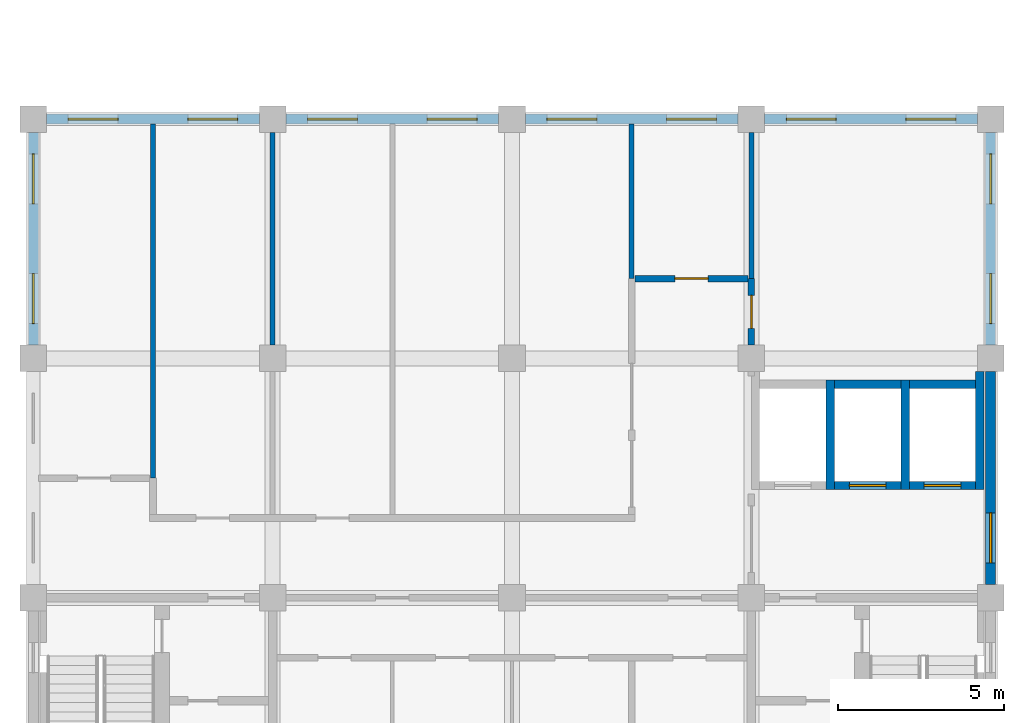
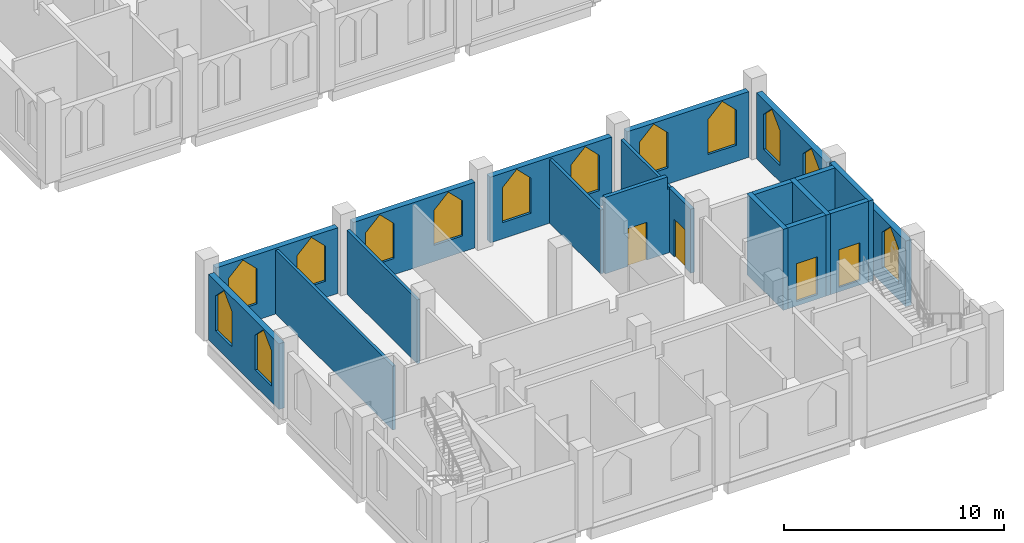
# One storey, part 4 of 11: 20 walls, 13 windows, 4 doors, 17 openings.
"""IFC4 building model written with IfcOpenShell, lengths in metres."""

from ifc_helpers import new_model, si_unit, direction, frame, frame_2d, origin, place, context, subcontext, project, spatial, polyline, rectangle, outline, extrude, material, layer, layer_set, type_object, element, fill, save


model = new_model("IFC4")

# Units and contexts
model_context = context("Model", 3, precision=1e-05, world=origin(), true_north=direction((0.0, 1.0)))
body_context = subcontext(model_context, "Body", "Model", "MODEL_VIEW")
ifc_project = project(units=[si_unit("LENGTHUNIT", "METRE"), si_unit("AREAUNIT", "SQUARE_METRE"), si_unit("VOLUMEUNIT", "CUBIC_METRE"), si_unit("PLANEANGLEUNIT", "RADIAN"), si_unit("MASSUNIT", "GRAM", prefix="KILO")], contexts=[model_context])

# Site, building, storey
site_placement = place(None, origin())
site = spatial("IfcSite", under=ifc_project, at=site_placement, CompositionType="ELEMENT")
building_placement = place(site_placement, origin())
building = spatial("IfcBuilding", under=site, at=building_placement, Name="Silangan Lancet Faculty of Sciences", CompositionType="ELEMENT")
storey_placement = place(building_placement, frame((0.0, 0.0, 45.300048828125)))
storey = spatial("IfcBuildingStorey", under=building, at=storey_placement, Name="L09", CompositionType="ELEMENT", Elevation=45.300048828125)

# Wall, openings, windows
ifc_material_1 = material(Name="Concrete C40/50 precast", Category="concrete")
ifc_layer_1 = layer(ifc_material_1, 0.300048828125)
ifc_layer_set_1 = layer_set([ifc_layer_1], Name="Concrete C40/50 precast")
wall_type_1 = type_object("IfcWallType", Name="EW1 Precast cladding wall", PredefinedType="STANDARD", material=ifc_layer_set_1)
wall_1_placement = place(storey_placement, frame((0.0, 14.800048828125, 0.0), z_axis=(0.0, 0.0, 1.0), x_axis=(0.0, 1.0, 0.0)))
wall_1 = element("IfcWall", 1, at=wall_1_placement, inside=storey, type_object=wall_type_1, Name="EW-L09-W-ST-02", PredefinedType="STANDARD", context=body_context, shape_type="SweptSolid", body=[
    extrude(rectangle(XDim=6.39990234375, YDim=0.300048828125, at=frame_2d((3.199951171875, 0.0))), origin(), (0.0, 0.0, 1.0), 3.64990234375),
])
opening_1_placement = place(wall_1_placement, frame((0.64990234375, 0.0, 0.89990234375)))
opening_1 = element("IfcOpeningElement", 2, at=opening_1_placement, cuts=wall_1, Name="Opening W23", PredefinedType="OPENING", context=body_context, shape_type="SweptSolid", body=[
    extrude(outline(polyline([(0.0, 0.0), (1.5, 0.0), (1.5, 1.949951171875), (0.75, 2.699951171875), (0.0, 1.949951171875), (0.0, 0.0)])), frame((0.0, 0.159912109375, 0.0), z_axis=(0.0, -1.0, 0.0), x_axis=(1.0, 0.0, 0.0)), (0.0, 0.0, 1.0), 0.320068359375),
])
opening_2_placement = place(wall_1_placement, frame((4.25, 0.0, 0.89990234375)))
opening_2 = element("IfcOpeningElement", 3, at=opening_2_placement, cuts=wall_1, Name="Opening W23", PredefinedType="OPENING", context=body_context, shape_type="SweptSolid", body=[
    extrude(outline(polyline([(0.0, 0.0), (1.5, 0.0), (1.5, 1.949951171875), (0.75, 2.699951171875), (0.0, 1.949951171875), (0.0, 0.0)])), frame((0.0, 0.159912109375, 0.0), z_axis=(0.0, -1.0, 0.0), x_axis=(1.0, 0.0, 0.0)), (0.0, 0.0, 1.0), 0.320068359375),
])
ifc_material_2 = material(Name="Aluminium frame, laminated double glazing", Category="aluminium")
window_type = type_object("IfcWindowType", Name="W23 Lancet window 1500 x 2700", PartitioningType="SINGLE_PANEL", PredefinedType="WINDOW", material=ifc_material_2)
window_1_placement = place(opening_1_placement, origin())
window_1 = element("IfcWindow", 4, at=window_1_placement, inside=storey, type_object=window_type, Name="WIN-L09-W-ST-02a", OverallHeight=2.699951171875, OverallWidth=1.5, PartitioningType="SINGLE_PANEL", PredefinedType="WINDOW", context=body_context, shape_type="SweptSolid", body=[
    extrude(outline(polyline([(0.0, 0.0), (1.5, 0.0), (1.5, 1.949951171875), (0.75, 2.699951171875), (0.0, 1.949951171875), (0.0, 0.0)])), frame((0.0, 0.030029296875, 0.0), z_axis=(0.0, -1.0, 0.0), x_axis=(1.0, 0.0, 0.0)), (0.0, 0.0, 1.0), 0.06005859375),
])
fill(opening_1, window_1)
window_2_placement = place(opening_2_placement, origin())
window_2 = element("IfcWindow", 5, at=window_2_placement, inside=storey, type_object=window_type, Name="WIN-L09-W-ST-02b", OverallHeight=2.699951171875, OverallWidth=1.5, PartitioningType="SINGLE_PANEL", PredefinedType="WINDOW", context=body_context, shape_type="SweptSolid", body=[
    extrude(outline(polyline([(0.0, 0.0), (1.5, 0.0), (1.5, 1.949951171875), (0.75, 2.699951171875), (0.0, 1.949951171875), (0.0, 0.0)])), frame((0.0, 0.030029296875, 0.0), z_axis=(0.0, -1.0, 0.0), x_axis=(1.0, 0.0, 0.0)), (0.0, 0.0, 1.0), 0.06005859375),
])
fill(opening_2, window_2)

# Wall, opening, window
wall_2_placement = place(storey_placement, frame((28.800048828125, 7.60009765625, 0.0), z_axis=(0.0, 0.0, 1.0), x_axis=(0.0, 1.0, 0.0)))
wall_2 = element("IfcWall", 6, at=wall_2_placement, inside=storey, type_object=wall_type_1, Name="EW-L09-E-ST-01", PredefinedType="STANDARD", context=body_context, shape_type="SweptSolid", body=[
    extrude(rectangle(XDim=6.39990234375, YDim=0.300048828125, at=frame_2d((3.199951171875, 0.0))), origin(), (0.0, 0.0, 1.0), 3.64990234375),
])
opening_3_placement = place(wall_2_placement, frame((0.64990234375, 0.0, 0.89990234375)))
opening_3 = element("IfcOpeningElement", 7, at=opening_3_placement, cuts=wall_2, Name="Opening W23", PredefinedType="OPENING", context=body_context, shape_type="SweptSolid", body=[
    extrude(outline(polyline([(0.0, 0.0), (1.5, 0.0), (1.5, 1.949951171875), (0.75, 2.699951171875), (0.0, 1.949951171875), (0.0, 0.0)])), frame((0.0, 0.159912109375, 0.0), z_axis=(0.0, -1.0, 0.0), x_axis=(1.0, 0.0, 0.0)), (0.0, 0.0, 1.0), 0.320068359375),
])
window_3_placement = place(opening_3_placement, origin())
window_3 = element("IfcWindow", 8, at=window_3_placement, inside=storey, type_object=window_type, Name="WIN-L09-E-ST-01a", OverallHeight=2.699951171875, OverallWidth=1.5, PartitioningType="SINGLE_PANEL", PredefinedType="WINDOW", context=body_context, shape_type="SweptSolid", body=[
    extrude(outline(polyline([(0.0, 0.0), (1.5, 0.0), (1.5, 1.949951171875), (0.75, 2.699951171875), (0.0, 1.949951171875), (0.0, 0.0)])), frame((0.0, 0.030029296875, 0.0), z_axis=(0.0, -1.0, 0.0), x_axis=(1.0, 0.0, 0.0)), (0.0, 0.0, 1.0), 0.06005859375),
])
fill(opening_3, window_3)

# Wall, openings, windows
wall_3_placement = place(storey_placement, frame((28.800048828125, 14.800048828125, 0.0), z_axis=(0.0, 0.0, 1.0), x_axis=(0.0, 1.0, 0.0)))
wall_3 = element("IfcWall", 9, at=wall_3_placement, inside=storey, type_object=wall_type_1, Name="EW-L09-E-ST-02", PredefinedType="STANDARD", context=body_context, shape_type="SweptSolid", body=[
    extrude(rectangle(XDim=6.39990234375, YDim=0.300048828125, at=frame_2d((3.199951171875, 0.0))), origin(), (0.0, 0.0, 1.0), 3.64990234375),
])
opening_4_placement = place(wall_3_placement, frame((0.64990234375, 0.0, 0.89990234375)))
opening_4 = element("IfcOpeningElement", 10, at=opening_4_placement, cuts=wall_3, Name="Opening W23", PredefinedType="OPENING", context=body_context, shape_type="SweptSolid", body=[
    extrude(outline(polyline([(0.0, 0.0), (1.5, 0.0), (1.5, 1.949951171875), (0.75, 2.699951171875), (0.0, 1.949951171875), (0.0, 0.0)])), frame((0.0, 0.159912109375, 0.0), z_axis=(0.0, -1.0, 0.0), x_axis=(1.0, 0.0, 0.0)), (0.0, 0.0, 1.0), 0.320068359375),
])
opening_5_placement = place(wall_3_placement, frame((4.25, 0.0, 0.89990234375)))
opening_5 = element("IfcOpeningElement", 11, at=opening_5_placement, cuts=wall_3, Name="Opening W23", PredefinedType="OPENING", context=body_context, shape_type="SweptSolid", body=[
    extrude(outline(polyline([(0.0, 0.0), (1.5, 0.0), (1.5, 1.949951171875), (0.75, 2.699951171875), (0.0, 1.949951171875), (0.0, 0.0)])), frame((0.0, 0.159912109375, 0.0), z_axis=(0.0, -1.0, 0.0), x_axis=(1.0, 0.0, 0.0)), (0.0, 0.0, 1.0), 0.320068359375),
])
window_4_placement = place(opening_4_placement, origin())
window_4 = element("IfcWindow", 12, at=window_4_placement, inside=storey, type_object=window_type, Name="WIN-L09-E-ST-02a", OverallHeight=2.699951171875, OverallWidth=1.5, PartitioningType="SINGLE_PANEL", PredefinedType="WINDOW", context=body_context, shape_type="SweptSolid", body=[
    extrude(outline(polyline([(0.0, 0.0), (1.5, 0.0), (1.5, 1.949951171875), (0.75, 2.699951171875), (0.0, 1.949951171875), (0.0, 0.0)])), frame((0.0, 0.030029296875, 0.0), z_axis=(0.0, -1.0, 0.0), x_axis=(1.0, 0.0, 0.0)), (0.0, 0.0, 1.0), 0.06005859375),
])
fill(opening_4, window_4)
window_5_placement = place(opening_5_placement, origin())
window_5 = element("IfcWindow", 13, at=window_5_placement, inside=storey, type_object=window_type, Name="WIN-L09-E-ST-02b", OverallHeight=2.699951171875, OverallWidth=1.5, PartitioningType="SINGLE_PANEL", PredefinedType="WINDOW", context=body_context, shape_type="SweptSolid", body=[
    extrude(outline(polyline([(0.0, 0.0), (1.5, 0.0), (1.5, 1.949951171875), (0.75, 2.699951171875), (0.0, 1.949951171875), (0.0, 0.0)])), frame((0.0, 0.030029296875, 0.0), z_axis=(0.0, -1.0, 0.0), x_axis=(1.0, 0.0, 0.0)), (0.0, 0.0, 1.0), 0.06005859375),
])
fill(opening_5, window_5)

wall_4_placement = place(storey_placement, frame((28.39990234375, 21.60009765625, 0.0), z_axis=(0.0, 0.0, 1.0), x_axis=(-1.0, 0.0, 0.0)))
wall_4 = element("IfcWall", 14, at=wall_4_placement, inside=storey, type_object=wall_type_1, Name="EW-L09-N-ST-00", PredefinedType="STANDARD", context=body_context, shape_type="SweptSolid", body=[
    extrude(rectangle(XDim=6.39990234375, YDim=0.300048828125, at=frame_2d((3.199951171875, 0.0))), origin(), (0.0, 0.0, 1.0), 3.64990234375),
])
opening_6_placement = place(wall_4_placement, frame((0.64990234375, 0.0, 0.89990234375)))
opening_6 = element("IfcOpeningElement", 15, at=opening_6_placement, cuts=wall_4, Name="Opening W23", PredefinedType="OPENING", context=body_context, shape_type="SweptSolid", body=[
    extrude(outline(polyline([(0.0, 0.0), (1.5, 0.0), (1.5, 1.949951171875), (0.75, 2.699951171875), (0.0, 1.949951171875), (0.0, 0.0)])), frame((0.0, 0.159912109375, 0.0), z_axis=(0.0, -1.0, 0.0), x_axis=(1.0, 0.0, 0.0)), (0.0, 0.0, 1.0), 0.320068359375),
])
opening_7_placement = place(wall_4_placement, frame((4.25, 0.0, 0.89990234375)))
opening_7 = element("IfcOpeningElement", 16, at=opening_7_placement, cuts=wall_4, Name="Opening W23", PredefinedType="OPENING", context=body_context, shape_type="SweptSolid", body=[
    extrude(outline(polyline([(0.0, 0.0), (1.5, 0.0), (1.5, 1.949951171875), (0.75, 2.699951171875), (0.0, 1.949951171875), (0.0, 0.0)])), frame((0.0, 0.159912109375, 0.0), z_axis=(0.0, -1.0, 0.0), x_axis=(1.0, 0.0, 0.0)), (0.0, 0.0, 1.0), 0.320068359375),
])
window_6_placement = place(opening_6_placement, origin())
window_6 = element("IfcWindow", 17, at=window_6_placement, inside=storey, type_object=window_type, Name="WIN-L09-N-ST-00a", OverallHeight=2.699951171875, OverallWidth=1.5, PartitioningType="SINGLE_PANEL", PredefinedType="WINDOW", context=body_context, shape_type="SweptSolid", body=[
    extrude(outline(polyline([(0.0, 0.0), (1.5, 0.0), (1.5, 1.949951171875), (0.75, 2.699951171875), (0.0, 1.949951171875), (0.0, 0.0)])), frame((0.0, 0.030029296875, 0.0), z_axis=(0.0, -1.0, 0.0), x_axis=(1.0, 0.0, 0.0)), (0.0, 0.0, 1.0), 0.06005859375),
])
fill(opening_6, window_6)
window_7_placement = place(opening_7_placement, origin())
window_7 = element("IfcWindow", 18, at=window_7_placement, inside=storey, type_object=window_type, Name="WIN-L09-N-ST-00b", OverallHeight=2.699951171875, OverallWidth=1.5, PartitioningType="SINGLE_PANEL", PredefinedType="WINDOW", context=body_context, shape_type="SweptSolid", body=[
    extrude(outline(polyline([(0.0, 0.0), (1.5, 0.0), (1.5, 1.949951171875), (0.75, 2.699951171875), (0.0, 1.949951171875), (0.0, 0.0)])), frame((0.0, 0.030029296875, 0.0), z_axis=(0.0, -1.0, 0.0), x_axis=(1.0, 0.0, 0.0)), (0.0, 0.0, 1.0), 0.06005859375),
])
fill(opening_7, window_7)

wall_5_placement = place(storey_placement, frame((21.199951171875, 21.60009765625, 0.0), z_axis=(0.0, 0.0, 1.0), x_axis=(-1.0, 0.0, 0.0)))
wall_5 = element("IfcWall", 19, at=wall_5_placement, inside=storey, type_object=wall_type_1, Name="EW-L09-N-ST-01", PredefinedType="STANDARD", context=body_context, shape_type="SweptSolid", body=[
    extrude(rectangle(XDim=6.39990234375, YDim=0.300048828125, at=frame_2d((3.199951171875, 0.0))), origin(), (0.0, 0.0, 1.0), 3.64990234375),
])
opening_8_placement = place(wall_5_placement, frame((0.64990234375, 0.0, 0.89990234375)))
opening_8 = element("IfcOpeningElement", 20, at=opening_8_placement, cuts=wall_5, Name="Opening W23", PredefinedType="OPENING", context=body_context, shape_type="SweptSolid", body=[
    extrude(outline(polyline([(0.0, 0.0), (1.5, 0.0), (1.5, 1.949951171875), (0.75, 2.699951171875), (0.0, 1.949951171875), (0.0, 0.0)])), frame((0.0, 0.159912109375, 0.0), z_axis=(0.0, -1.0, 0.0), x_axis=(1.0, 0.0, 0.0)), (0.0, 0.0, 1.0), 0.320068359375),
])
opening_9_placement = place(wall_5_placement, frame((4.25, 0.0, 0.89990234375)))
opening_9 = element("IfcOpeningElement", 21, at=opening_9_placement, cuts=wall_5, Name="Opening W23", PredefinedType="OPENING", context=body_context, shape_type="SweptSolid", body=[
    extrude(outline(polyline([(0.0, 0.0), (1.5, 0.0), (1.5, 1.949951171875), (0.75, 2.699951171875), (0.0, 1.949951171875), (0.0, 0.0)])), frame((0.0, 0.159912109375, 0.0), z_axis=(0.0, -1.0, 0.0), x_axis=(1.0, 0.0, 0.0)), (0.0, 0.0, 1.0), 0.320068359375),
])
window_8_placement = place(opening_8_placement, origin())
window_8 = element("IfcWindow", 22, at=window_8_placement, inside=storey, type_object=window_type, Name="WIN-L09-N-ST-01a", OverallHeight=2.699951171875, OverallWidth=1.5, PartitioningType="SINGLE_PANEL", PredefinedType="WINDOW", context=body_context, shape_type="SweptSolid", body=[
    extrude(outline(polyline([(0.0, 0.0), (1.5, 0.0), (1.5, 1.949951171875), (0.75, 2.699951171875), (0.0, 1.949951171875), (0.0, 0.0)])), frame((0.0, 0.030029296875, 0.0), z_axis=(0.0, -1.0, 0.0), x_axis=(1.0, 0.0, 0.0)), (0.0, 0.0, 1.0), 0.06005859375),
])
fill(opening_8, window_8)
window_9_placement = place(opening_9_placement, origin())
window_9 = element("IfcWindow", 23, at=window_9_placement, inside=storey, type_object=window_type, Name="WIN-L09-N-ST-01b", OverallHeight=2.699951171875, OverallWidth=1.5, PartitioningType="SINGLE_PANEL", PredefinedType="WINDOW", context=body_context, shape_type="SweptSolid", body=[
    extrude(outline(polyline([(0.0, 0.0), (1.5, 0.0), (1.5, 1.949951171875), (0.75, 2.699951171875), (0.0, 1.949951171875), (0.0, 0.0)])), frame((0.0, 0.030029296875, 0.0), z_axis=(0.0, -1.0, 0.0), x_axis=(1.0, 0.0, 0.0)), (0.0, 0.0, 1.0), 0.06005859375),
])
fill(opening_9, window_9)

wall_6_placement = place(storey_placement, frame((14.0, 21.60009765625, 0.0), z_axis=(0.0, 0.0, 1.0), x_axis=(-1.0, 0.0, 0.0)))
wall_6 = element("IfcWall", 24, at=wall_6_placement, inside=storey, type_object=wall_type_1, Name="EW-L09-N-ST-02", PredefinedType="STANDARD", context=body_context, shape_type="SweptSolid", body=[
    extrude(rectangle(XDim=6.39990234375, YDim=0.300048828125, at=frame_2d((3.199951171875, 0.0))), origin(), (0.0, 0.0, 1.0), 3.64990234375),
])
opening_10_placement = place(wall_6_placement, frame((0.64990234375, 0.0, 0.89990234375)))
opening_10 = element("IfcOpeningElement", 25, at=opening_10_placement, cuts=wall_6, Name="Opening W23", PredefinedType="OPENING", context=body_context, shape_type="SweptSolid", body=[
    extrude(outline(polyline([(0.0, 0.0), (1.5, 0.0), (1.5, 1.949951171875), (0.75, 2.699951171875), (0.0, 1.949951171875), (0.0, 0.0)])), frame((0.0, 0.159912109375, 0.0), z_axis=(0.0, -1.0, 0.0), x_axis=(1.0, 0.0, 0.0)), (0.0, 0.0, 1.0), 0.320068359375),
])
opening_11_placement = place(wall_6_placement, frame((4.25, 0.0, 0.89990234375)))
opening_11 = element("IfcOpeningElement", 26, at=opening_11_placement, cuts=wall_6, Name="Opening W23", PredefinedType="OPENING", context=body_context, shape_type="SweptSolid", body=[
    extrude(outline(polyline([(0.0, 0.0), (1.5, 0.0), (1.5, 1.949951171875), (0.75, 2.699951171875), (0.0, 1.949951171875), (0.0, 0.0)])), frame((0.0, 0.159912109375, 0.0), z_axis=(0.0, -1.0, 0.0), x_axis=(1.0, 0.0, 0.0)), (0.0, 0.0, 1.0), 0.320068359375),
])
window_10_placement = place(opening_10_placement, origin())
window_10 = element("IfcWindow", 27, at=window_10_placement, inside=storey, type_object=window_type, Name="WIN-L09-N-ST-02a", OverallHeight=2.699951171875, OverallWidth=1.5, PartitioningType="SINGLE_PANEL", PredefinedType="WINDOW", context=body_context, shape_type="SweptSolid", body=[
    extrude(outline(polyline([(0.0, 0.0), (1.5, 0.0), (1.5, 1.949951171875), (0.75, 2.699951171875), (0.0, 1.949951171875), (0.0, 0.0)])), frame((0.0, 0.030029296875, 0.0), z_axis=(0.0, -1.0, 0.0), x_axis=(1.0, 0.0, 0.0)), (0.0, 0.0, 1.0), 0.06005859375),
])
fill(opening_10, window_10)
window_11_placement = place(opening_11_placement, origin())
window_11 = element("IfcWindow", 28, at=window_11_placement, inside=storey, type_object=window_type, Name="WIN-L09-N-ST-02b", OverallHeight=2.699951171875, OverallWidth=1.5, PartitioningType="SINGLE_PANEL", PredefinedType="WINDOW", context=body_context, shape_type="SweptSolid", body=[
    extrude(outline(polyline([(0.0, 0.0), (1.5, 0.0), (1.5, 1.949951171875), (0.75, 2.699951171875), (0.0, 1.949951171875), (0.0, 0.0)])), frame((0.0, 0.030029296875, 0.0), z_axis=(0.0, -1.0, 0.0), x_axis=(1.0, 0.0, 0.0)), (0.0, 0.0, 1.0), 0.06005859375),
])
fill(opening_11, window_11)

wall_7_placement = place(storey_placement, frame((6.800048828125, 21.60009765625, 0.0), z_axis=(0.0, 0.0, 1.0), x_axis=(-1.0, 0.0, 0.0)))
wall_7 = element("IfcWall", 29, at=wall_7_placement, inside=storey, type_object=wall_type_1, Name="EW-L09-N-ST-03", PredefinedType="STANDARD", context=body_context, shape_type="SweptSolid", body=[
    extrude(rectangle(XDim=6.400146484375, YDim=0.300048828125, at=frame_2d((3.2001953125, 0.0))), origin(), (0.0, 0.0, 1.0), 3.64990234375),
])
opening_12_placement = place(wall_7_placement, frame((0.64990234375, 0.0, 0.89990234375)))
opening_12 = element("IfcOpeningElement", 30, at=opening_12_placement, cuts=wall_7, Name="Opening W23", PredefinedType="OPENING", context=body_context, shape_type="SweptSolid", body=[
    extrude(outline(polyline([(0.0, 0.0), (1.5, 0.0), (1.5, 1.949951171875), (0.75, 2.699951171875), (0.0, 1.949951171875), (0.0, 0.0)])), frame((0.0, 0.159912109375, 0.0), z_axis=(0.0, -1.0, 0.0), x_axis=(1.0, 0.0, 0.0)), (0.0, 0.0, 1.0), 0.320068359375),
])
opening_13_placement = place(wall_7_placement, frame((4.25, 0.0, 0.89990234375)))
opening_13 = element("IfcOpeningElement", 31, at=opening_13_placement, cuts=wall_7, Name="Opening W23", PredefinedType="OPENING", context=body_context, shape_type="SweptSolid", body=[
    extrude(outline(polyline([(0.0, 0.0), (1.5, 0.0), (1.5, 1.949951171875), (0.75, 2.699951171875), (0.0, 1.949951171875), (0.0, 0.0)])), frame((0.0, 0.159912109375, 0.0), z_axis=(0.0, -1.0, 0.0), x_axis=(1.0, 0.0, 0.0)), (0.0, 0.0, 1.0), 0.320068359375),
])
window_12_placement = place(opening_12_placement, origin())
window_12 = element("IfcWindow", 32, at=window_12_placement, inside=storey, type_object=window_type, Name="WIN-L09-N-ST-03a", OverallHeight=2.699951171875, OverallWidth=1.5, PartitioningType="SINGLE_PANEL", PredefinedType="WINDOW", context=body_context, shape_type="SweptSolid", body=[
    extrude(outline(polyline([(0.0, 0.0), (1.5, 0.0), (1.5, 1.949951171875), (0.75, 2.699951171875), (0.0, 1.949951171875), (0.0, 0.0)])), frame((0.0, 0.030029296875, 0.0), z_axis=(0.0, -1.0, 0.0), x_axis=(1.0, 0.0, 0.0)), (0.0, 0.0, 1.0), 0.06005859375),
])
fill(opening_12, window_12)
window_13_placement = place(opening_13_placement, origin())
window_13 = element("IfcWindow", 33, at=window_13_placement, inside=storey, type_object=window_type, Name="WIN-L09-N-ST-03b", OverallHeight=2.699951171875, OverallWidth=1.5, PartitioningType="SINGLE_PANEL", PredefinedType="WINDOW", context=body_context, shape_type="SweptSolid", body=[
    extrude(outline(polyline([(0.0, 0.0), (1.5, 0.0), (1.5, 1.949951171875), (0.75, 2.699951171875), (0.0, 1.949951171875), (0.0, 0.0)])), frame((0.0, 0.030029296875, 0.0), z_axis=(0.0, -1.0, 0.0), x_axis=(1.0, 0.0, 0.0)), (0.0, 0.0, 1.0), 0.06005859375),
])
fill(opening_13, window_13)

# Wall, opening, door
ifc_material_3 = material(Name="Hollow block masonry fm 7 MPa", Category="masonry")
ifc_layer_2 = layer(ifc_material_3, 0.199951171875)
ifc_layer_set_2 = layer_set([ifc_layer_2], Name="Hollow block masonry fm 7 MPa")
wall_type_2 = type_object("IfcWallType", Name="Interior wall PW1 Corridor wall CHB 200", PredefinedType="PARTITIONING", material=ifc_layer_set_2)
wall_8_placement = place(storey_placement, frame((18.10009765625, 16.800048828125, 0.0), z_axis=(0.0, 0.0, 1.0), x_axis=(1.0, 0.0, 0.0)))
wall_8 = element("IfcWall", 34, at=wall_8_placement, inside=storey, type_object=wall_type_2, Name="Corridor wall CHB 200", PredefinedType="PARTITIONING", context=body_context, shape_type="SweptSolid", body=[
    extrude(outline(polyline([(0.0, 0.0), (3.39990234375, 0.0), (3.39990234375, 3.550048828125), (3.27490234375, 3.550048828125), (3.27490234375, 4.25), (0.0, 4.25), (0.0, 0.0)])), frame((0.0, 0.10009765625, 0.0), z_axis=(0.0, -1.0, 0.0), x_axis=(1.0, 0.0, 0.0)), (0.0, 0.0, 1.0), 0.199951171875),
])
opening_14_placement = place(wall_8_placement, frame((1.199951171875, 0.0, 0.0)))
opening_14 = element("IfcOpeningElement", 35, at=opening_14_placement, cuts=wall_8, Name="Opening L09-011", PredefinedType="OPENING", context=body_context, shape_type="SweptSolid", body=[
    extrude(rectangle(XDim=1.0, YDim=2.10009765625, at=frame_2d((0.5, 1.050048828125))), frame((0.0, 0.10986328125, 0.0), z_axis=(0.0, -1.0, 0.0), x_axis=(1.0, 0.0, 0.0)), (0.0, 0.0, 1.0), 0.219970703125),
])
ifc_material_4 = material(Name="Steel fire door set", Category="steel")
door_type_1 = type_object("IfcDoorType", Name="Door D1 Single leaf fire door 1000 x 2100", OperationType="SINGLE_SWING_LEFT", PredefinedType="DOOR", material=ifc_material_4)
door_1_placement = place(opening_14_placement, origin())
door_1 = element("IfcDoor", 36, at=door_1_placement, inside=storey, type_object=door_type_1, Name="Single leaf fire door 1000 x 2100", OperationType="SINGLE_SWING_RIGHT", OverallHeight=2.10009765625, OverallWidth=1.0, PredefinedType="DOOR", context=body_context, shape_type="SweptSolid", body=[
    extrude(rectangle(XDim=1.0, YDim=2.10009765625, at=frame_2d((0.5, 1.050048828125))), frame((0.0, 0.02490234375, 0.0), z_axis=(0.0, -1.0, 0.0), x_axis=(1.0, 0.0, 0.0)), (0.0, 0.0, 1.0), 0.050048828125),
])
fill(opening_14, door_1)

wall_9_placement = place(storey_placement, frame((21.60009765625, 14.800048828125, 0.0), z_axis=(0.0, 0.0, 1.0), x_axis=(0.0, 1.0, 0.0)))
wall_9 = element("IfcWall", 37, at=wall_9_placement, inside=storey, type_object=wall_type_2, Name="Corridor wall CHB 200", PredefinedType="PARTITIONING", context=body_context, shape_type="SweptSolid", body=[
    extrude(rectangle(XDim=2.0, YDim=0.199951171875, at=frame_2d((1.0, 0.0))), origin(), (0.0, 0.0, 1.0), 3.550048828125),
])
opening_15_placement = place(wall_9_placement, frame((0.5, 0.0, 0.0)))
opening_15 = element("IfcOpeningElement", 38, at=opening_15_placement, cuts=wall_9, Name="Opening L09-012", PredefinedType="OPENING", context=body_context, shape_type="SweptSolid", body=[
    extrude(rectangle(XDim=1.0, YDim=2.10009765625, at=frame_2d((0.5, 1.050048828125))), frame((0.0, 0.10986328125, 0.0), z_axis=(0.0, -1.0, 0.0), x_axis=(1.0, 0.0, 0.0)), (0.0, 0.0, 1.0), 0.219970703125),
])
door_2_placement = place(opening_15_placement, frame((1.0, 0.0, 0.0), z_axis=(0.0, 0.0, 1.0), x_axis=(-1.0, 0.0, 0.0)))
door_2 = element("IfcDoor", 39, at=door_2_placement, inside=storey, type_object=door_type_1, Name="Single leaf fire door 1000 x 2100", OperationType="SINGLE_SWING_RIGHT", OverallHeight=2.10009765625, OverallWidth=1.0, PredefinedType="DOOR", context=body_context, shape_type="SweptSolid", body=[
    extrude(rectangle(XDim=1.0, YDim=2.10009765625, at=frame_2d((0.5, 1.050048828125))), frame((0.0, 0.025146484375, 0.0), z_axis=(0.0, -1.0, 0.0), x_axis=(1.0, 0.0, 0.0)), (0.0, 0.0, 1.0), 0.050048828125),
])
fill(opening_15, door_2)

# Walls
ifc_material_5 = material(Name="Hollow block masonry fm 7 MPa", Category="masonry")
ifc_layer_3 = layer(ifc_material_5, 0.14990234375)
ifc_layer_set_3 = layer_set([ifc_layer_3], Name="Hollow block masonry fm 7 MPa")
wall_type_3 = type_object("IfcWallType", Name="Interior wall PW3 Partition CHB 150", PredefinedType="PARTITIONING", material=ifc_layer_set_3)
wall_10_placement = place(storey_placement, frame((3.60009765625, 10.800048828125, 0.0), z_axis=(0.0, 0.0, 1.0), x_axis=(0.0, 1.0, 0.0)))
element("IfcWall", 40, at=wall_10_placement, inside=storey, type_object=wall_type_3, Name="Partition CHB 150", PredefinedType="PARTITIONING", context=body_context, shape_type="SweptSolid", body=[
    extrude(rectangle(XDim=10.64990234375, YDim=0.14990234375, at=frame_2d((5.324951171875, 0.0))), origin(), (0.0, 0.0, 1.0), 3.550048828125),
])
wall_11_placement = place(storey_placement, frame((7.199951171875, 14.800048828125, 0.0), z_axis=(0.0, 0.0, 1.0), x_axis=(0.0, 1.0, 0.0)))
element("IfcWall", 41, at=wall_11_placement, inside=storey, type_object=wall_type_3, Name="Partition CHB 150", PredefinedType="PARTITIONING", context=body_context, shape_type="SweptSolid", body=[
    extrude(rectangle(XDim=6.39990234375, YDim=0.14990234375, at=frame_2d((3.199951171875, 0.0))), origin(), (0.0, 0.0, 1.0), 3.550048828125),
])
wall_12_placement = place(storey_placement, frame((18.0, 16.800048828125, 0.0), z_axis=(0.0, 0.0, 1.0), x_axis=(0.0, 1.0, 0.0)))
element("IfcWall", 42, at=wall_12_placement, inside=storey, type_object=wall_type_3, Name="Partition CHB 150", PredefinedType="PARTITIONING", context=body_context, shape_type="SweptSolid", body=[
    extrude(rectangle(XDim=4.64990234375, YDim=0.14990234375, at=frame_2d((2.324951171875, 0.0))), origin(), (0.0, 0.0, 1.0), 3.550048828125),
])
wall_13_placement = place(storey_placement, frame((21.60009765625, 16.800048828125, 0.0), z_axis=(0.0, 0.0, 1.0), x_axis=(0.0, 1.0, 0.0)))
element("IfcWall", 43, at=wall_13_placement, inside=storey, type_object=wall_type_3, Name="Partition CHB 150", PredefinedType="PARTITIONING", context=body_context, shape_type="SweptSolid", body=[
    extrude(rectangle(XDim=4.39990234375, YDim=0.14990234375, at=frame_2d((2.199951171875, 0.0))), origin(), (0.0, 0.0, 1.0), 3.550048828125),
])
ifc_material_6 = material(Name="Concrete C40/50", Category="concrete")
ifc_layer_4 = layer(ifc_material_6, 0.25)
ifc_layer_set_4 = layer_set([ifc_layer_4], Name="Concrete C40/50")
wall_type_4 = type_object("IfcWallType", Name="LIFT SHAFT WALL RC 250", PredefinedType="SHEAR", material=ifc_layer_set_4)
for number, where, z_axis, x_axis, name in (
    (44, (23.97509765625, 10.449951171875, -0.25), (0.0, 0.0, 1.0), (0.0, 1.0, 0.0), "WALL-L09-ST-SW2"),
    (45, (26.22509765625, 10.449951171875, -0.25), (0.0, 0.0, 1.0), (0.0, 1.0, 0.0), "WALL-L09-ST-SW3"),
):
    element("IfcWall", number, at=place(storey_placement, frame(where, z_axis=z_axis, x_axis=x_axis)), inside=storey, type_object=wall_type_4, Name=name, PredefinedType="SHEAR", context=body_context, shape_type="SweptSolid", body=[
        extrude(rectangle(XDim=3.300048828125, YDim=0.25, at=frame_2d((1.64990234375, 0.0))), origin(), (0.0, 0.0, 1.0), 4.5),
    ])
wall_14_placement = place(storey_placement, frame((28.47509765625, 10.449951171875, -0.25), z_axis=(0.0, 0.0, 1.0), x_axis=(0.0, 1.0, 0.0)))
element("IfcWall", 46, at=wall_14_placement, inside=storey, type_object=wall_type_4, Name="WALL-L09-ST-SW4", PredefinedType="SHEAR", context=body_context, shape_type="SweptSolid", body=[
    extrude(rectangle(XDim=3.550048828125, YDim=0.25, at=frame_2d((1.77490234375, 0.0))), origin(), (0.0, 0.0, 1.0), 4.5),
])

# Wall, opening, door
wall_15_placement = place(storey_placement, frame((24.10009765625, 10.574951171875, -0.25), z_axis=(0.0, 0.0, 1.0), x_axis=(1.0, 0.0, 0.0)))
wall_15 = element("IfcWall", 47, at=wall_15_placement, inside=storey, type_object=wall_type_4, Name="WALL-L09-ST-L2-F", PredefinedType="SHEAR", context=body_context, shape_type="SweptSolid", body=[
    extrude(rectangle(XDim=2.0, YDim=0.25, at=frame_2d((1.0, 0.0))), origin(), (0.0, 0.0, 1.0), 4.5),
])
opening_16_placement = place(wall_15_placement, frame((0.449951171875, 0.0, 0.25)))
opening_16 = element("IfcOpeningElement", 48, at=opening_16_placement, cuts=wall_15, Name="Opening L09-805", PredefinedType="OPENING", context=body_context, shape_type="SweptSolid", body=[
    extrude(rectangle(XDim=1.10009765625, YDim=2.10009765625, at=frame_2d((0.550048828125, 1.050048828125))), frame((0.0, 0.135009765625, 0.0), z_axis=(0.0, -1.0, 0.0), x_axis=(1.0, 0.0, 0.0)), (0.0, 0.0, 1.0), 0.27001953125),
])
ifc_material_7 = material(Name="Stainless steel sliding door", Category="steel")
door_type_2 = type_object("IfcDoorType", Name="LD1 Lift landing door 1100x2100", OperationType="SLIDING_TO_LEFT", PredefinedType="DOOR", material=ifc_material_7)
door_3_placement = place(opening_16_placement, origin())
door_3 = element("IfcDoor", 49, at=door_3_placement, inside=storey, type_object=door_type_2, Name="Landing door ST-L2 L09", OperationType="SLIDING_TO_LEFT", OverallHeight=2.10009765625, OverallWidth=1.10009765625, PredefinedType="DOOR", context=body_context, shape_type="SweptSolid", body=[
    extrude(rectangle(XDim=1.10009765625, YDim=2.10009765625, at=frame_2d((0.550048828125, 1.050048828125))), frame((0.0, 0.02490234375, 0.0), z_axis=(0.0, -1.0, 0.0), x_axis=(1.0, 0.0, 0.0)), (0.0, 0.0, 1.0), 0.050048828125),
])
fill(opening_16, door_3)

# Wall
wall_16_placement = place(storey_placement, frame((24.10009765625, 13.625, -0.25), z_axis=(0.0, 0.0, 1.0), x_axis=(1.0, 0.0, 0.0)))
element("IfcWall", 50, at=wall_16_placement, inside=storey, type_object=wall_type_4, Name="WALL-L09-ST-L2-B", PredefinedType="SHEAR", context=body_context, shape_type="SweptSolid", body=[
    extrude(rectangle(XDim=2.0, YDim=0.25, at=frame_2d((1.0, 0.0))), origin(), (0.0, 0.0, 1.0), 4.5),
])

# Wall, opening, door
wall_17_placement = place(storey_placement, frame((26.35009765625, 10.574951171875, -0.25), z_axis=(0.0, 0.0, 1.0), x_axis=(1.0, 0.0, 0.0)))
wall_17 = element("IfcWall", 51, at=wall_17_placement, inside=storey, type_object=wall_type_4, Name="WALL-L09-ST-L3-F", PredefinedType="SHEAR", context=body_context, shape_type="SweptSolid", body=[
    extrude(rectangle(XDim=2.0, YDim=0.25, at=frame_2d((1.0, 0.0))), origin(), (0.0, 0.0, 1.0), 4.5),
])
opening_17_placement = place(wall_17_placement, frame((0.449951171875, 0.0, 0.25)))
opening_17 = element("IfcOpeningElement", 52, at=opening_17_placement, cuts=wall_17, Name="Opening L09-806", PredefinedType="OPENING", context=body_context, shape_type="SweptSolid", body=[
    extrude(rectangle(XDim=1.10009765625, YDim=2.10009765625, at=frame_2d((0.550048828125, 1.050048828125))), frame((0.0, 0.135009765625, 0.0), z_axis=(0.0, -1.0, 0.0), x_axis=(1.0, 0.0, 0.0)), (0.0, 0.0, 1.0), 0.27001953125),
])
door_4_placement = place(opening_17_placement, origin())
door_4 = element("IfcDoor", 53, at=door_4_placement, inside=storey, type_object=door_type_2, Name="Landing door ST-L3 L09", OperationType="SLIDING_TO_LEFT", OverallHeight=2.10009765625, OverallWidth=1.10009765625, PredefinedType="DOOR", context=body_context, shape_type="SweptSolid", body=[
    extrude(rectangle(XDim=1.10009765625, YDim=2.10009765625, at=frame_2d((0.550048828125, 1.050048828125))), frame((0.0, 0.02490234375, 0.0), z_axis=(0.0, -1.0, 0.0), x_axis=(1.0, 0.0, 0.0)), (0.0, 0.0, 1.0), 0.050048828125),
])
fill(opening_17, door_4)

# Wall
wall_18_placement = place(storey_placement, frame((26.35009765625, 13.625, -0.25), z_axis=(0.0, 0.0, 1.0), x_axis=(1.0, 0.0, 0.0)))
element("IfcWall", 54, at=wall_18_placement, inside=storey, type_object=wall_type_4, Name="WALL-L09-ST-L3-B", PredefinedType="SHEAR", context=body_context, shape_type="SweptSolid", body=[
    extrude(rectangle(XDim=2.0, YDim=0.25, at=frame_2d((1.0, 0.0))), origin(), (0.0, 0.0, 1.0), 4.5),
])

save(model, "model.ifc")
